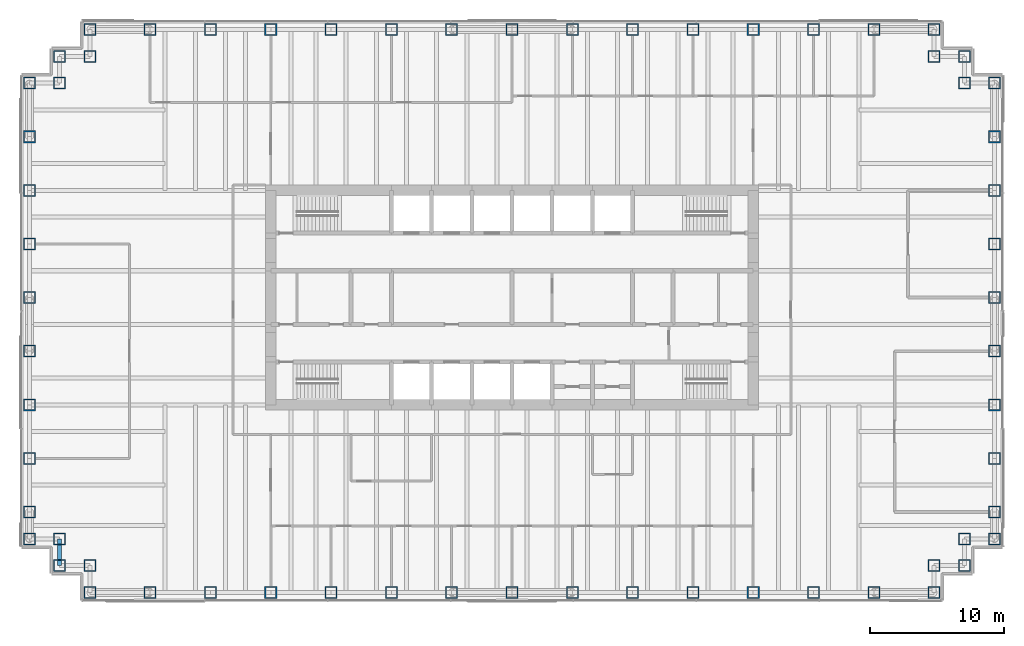
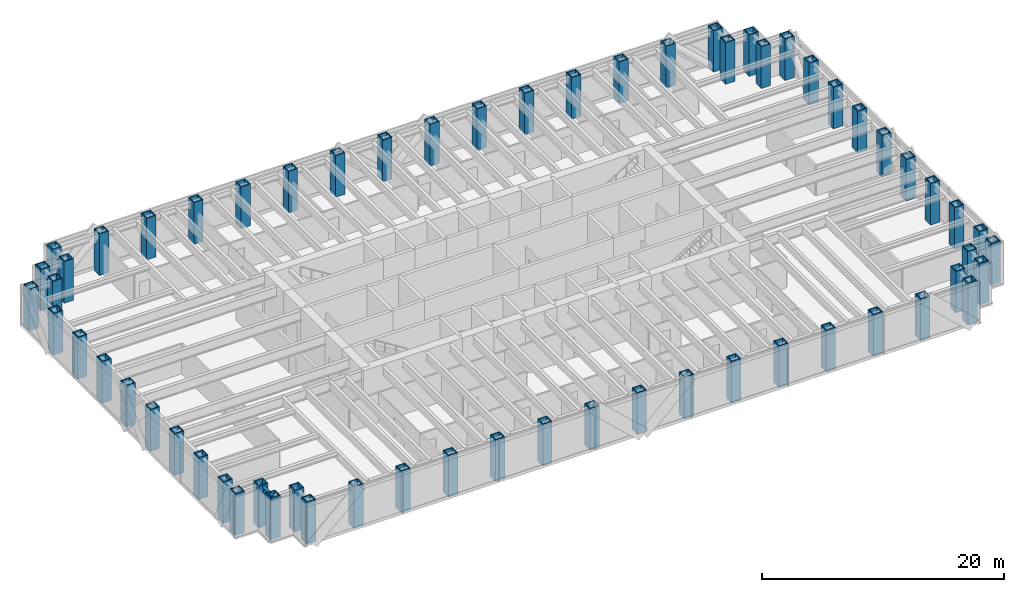
# One storey, part 1 of 15: 62 columns, 1 beam.
"""IFC4 building model written with IfcOpenShell, lengths in metres."""

from ifc_helpers import new_model, si_unit, direction, frame, origin, origin_2d, place, context, subcontext, project, spatial, hollow_rectangle, i_section, extrude, material, material_profile, profile_set, type_object, element, save


model = new_model("IFC4")

# Units and contexts
model_context = context("Model", 3, precision=1e-05, world=origin(), true_north=direction((0.0, 1.0)))
body_context = subcontext(model_context, "Body", "Model", "MODEL_VIEW")
ifc_project = project(units=[si_unit("LENGTHUNIT", "METRE"), si_unit("AREAUNIT", "SQUARE_METRE"), si_unit("VOLUMEUNIT", "CUBIC_METRE"), si_unit("PLANEANGLEUNIT", "RADIAN"), si_unit("MASSUNIT", "GRAM", prefix="KILO")], contexts=[model_context])

# Site, building, storey
site_placement = place(None, origin())
site = spatial("IfcSite", under=ifc_project, at=site_placement, CompositionType="ELEMENT")
building_placement = place(site_placement, origin())
building = spatial("IfcBuilding", under=site, at=building_placement, Name="Rheinbord Bourse Tower", CompositionType="ELEMENT")
storey_placement = place(building_placement, frame((0.0, 0.0, 215.199951171875)))
storey = spatial("IfcBuildingStorey", under=building, at=storey_placement, Name="L48", CompositionType="ELEMENT", Elevation=215.199951171875)

# Columns
ifc_material_1 = material(Name="Steel S460M", Category="steel")
ifc_material_profile_1 = material_profile(ifc_material_1, hollow_rectangle(XDim=0.89990234375, YDim=0.89990234375, WallThickness=0.080078125, at=origin_2d()), Name="BOX 900x900x80")
ifc_profile_set_1 = profile_set([ifc_material_profile_1], Name="Steel S460M")
column_type = type_object("IfcColumnType", Name="TUBE COLUMN BOX 900x900x80", PredefinedType="COLUMN", material=ifc_profile_set_1)
for number, where, z_axis, x_axis, name in (
    (1, (4.5, 2.0, 0.0), (0.0, 0.0, 1.0), (0.0, 1.0, 0.0), "Column SW-E L48"),
    (2, (9.0, 2.0, 0.0), (0.0, 0.0, 1.0), (0.0, 1.0, 0.0), "Column S-9 L48"),
    (3, (13.5, 2.0, 0.0), (0.0, 0.0, 1.0), (0.0, 1.0, 0.0), "Column S-13.5 L48"),
    (4, (18.0, 2.0, 0.0), (0.0, 0.0, 1.0), (0.0, 1.0, 0.0), "Column S-18 L48"),
    (5, (22.5, 2.0, 0.0), (0.0, 0.0, 1.0), (0.0, 1.0, 0.0), "Column S-22.5 L48"),
    (6, (27.0, 2.0, 0.0), (0.0, 0.0, 1.0), (0.0, 1.0, 0.0), "Column S-27 L48"),
    (7, (31.5, 2.0, 0.0), (0.0, 0.0, 1.0), (0.0, 1.0, 0.0), "Column S-31.5 L48"),
    (8, (36.0, 2.0, 0.0), (0.0, 0.0, 1.0), (0.0, 1.0, 0.0), "Column S-36 L48"),
    (9, (40.5, 2.0, 0.0), (0.0, 0.0, 1.0), (0.0, 1.0, 0.0), "Column S-40.5 L48"),
    (10, (45.0, 2.0, 0.0), (0.0, 0.0, 1.0), (0.0, 1.0, 0.0), "Column S-45 L48"),
    (11, (49.5, 2.0, 0.0), (0.0, 0.0, 1.0), (0.0, 1.0, 0.0), "Column S-49.5 L48"),
    (12, (54.0, 2.0, 0.0), (0.0, 0.0, 1.0), (0.0, 1.0, 0.0), "Column S-54 L48"),
    (13, (58.5, 2.0, 0.0), (0.0, 0.0, 1.0), (0.0, 1.0, 0.0), "Column S-58.5 L48"),
    (14, (63.0, 2.0, 0.0), (0.0, 0.0, 1.0), (0.0, 1.0, 0.0), "Column S-63 L48"),
    (15, (67.5, 2.0, 0.0), (0.0, 0.0, 1.0), (0.0, 1.0, 0.0), "Column SE-E L48"),
    (16, (67.5, 4.0, 0.0), (0.0, 0.0, 1.0), (0.0, 1.0, 0.0), "Column SE-D L48"),
    (17, (69.75, 4.0, 0.0), (0.0, 0.0, 1.0), (1.0, 0.0, 0.0), "Column SE-C L48"),
    (18, (69.75, 6.0, 0.0), (0.0, 0.0, 1.0), (1.0, 0.0, 0.0), "Column SE-B L48"),
    (19, (72.0, 6.0, 0.0), (0.0, 0.0, 1.0), (1.0, 0.0, 0.0), "Column SE-A L48"),
    (20, (72.0, 8.0, 0.0), (0.0, 0.0, 1.0), (1.0, 0.0, 0.0), "Column E-8 L48"),
    (21, (72.0, 12.0, 0.0), (0.0, 0.0, 1.0), (1.0, 0.0, 0.0), "Column E-12 L48"),
    (22, (72.0, 16.0, 0.0), (0.0, 0.0, 1.0), (1.0, 0.0, 0.0), "Column E-16 L48"),
    (23, (72.0, 20.0, 0.0), (0.0, 0.0, 1.0), (1.0, 0.0, 0.0), "Column E-20 L48"),
    (24, (72.0, 24.0, 0.0), (0.0, 0.0, 1.0), (1.0, 0.0, 0.0), "Column E-24 L48"),
    (25, (72.0, 28.0, 0.0), (0.0, 0.0, 1.0), (1.0, 0.0, 0.0), "Column E-28 L48"),
    (26, (72.0, 32.0, 0.0), (0.0, 0.0, 1.0), (1.0, 0.0, 0.0), "Column E-32 L48"),
    (27, (72.0, 36.0, 0.0), (0.0, 0.0, 1.0), (1.0, 0.0, 0.0), "Column E-36 L48"),
    (28, (72.0, 40.0, 0.0), (0.0, 0.0, 1.0), (1.0, 0.0, 0.0), "Column NE-A L48"),
    (29, (69.75, 40.0, 0.0), (0.0, 0.0, 1.0), (1.0, 0.0, 0.0), "Column NE-B L48"),
    (30, (69.75, 42.0, 0.0), (0.0, 0.0, 1.0), (1.0, 0.0, 0.0), "Column NE-C L48"),
    (31, (67.5, 42.0, 0.0), (0.0, 0.0, 1.0), (0.0, 1.0, 0.0), "Column NE-D L48"),
    (32, (67.5, 44.0, 0.0), (0.0, 0.0, 1.0), (0.0, 1.0, 0.0), "Column NE-E L48"),
    (33, (63.0, 44.0, 0.0), (0.0, 0.0, 1.0), (0.0, 1.0, 0.0), "Column N-63 L48"),
    (34, (58.5, 44.0, 0.0), (0.0, 0.0, 1.0), (0.0, 1.0, 0.0), "Column N-58.5 L48"),
    (35, (54.0, 44.0, 0.0), (0.0, 0.0, 1.0), (0.0, 1.0, 0.0), "Column N-54 L48"),
    (36, (49.5, 44.0, 0.0), (0.0, 0.0, 1.0), (0.0, 1.0, 0.0), "Column N-49.5 L48"),
    (37, (45.0, 44.0, 0.0), (0.0, 0.0, 1.0), (0.0, 1.0, 0.0), "Column N-45 L48"),
    (38, (40.5, 44.0, 0.0), (0.0, 0.0, 1.0), (0.0, 1.0, 0.0), "Column N-40.5 L48"),
    (39, (36.0, 44.0, 0.0), (0.0, 0.0, 1.0), (0.0, 1.0, 0.0), "Column N-36 L48"),
    (40, (31.5, 44.0, 0.0), (0.0, 0.0, 1.0), (0.0, 1.0, 0.0), "Column N-31.5 L48"),
    (41, (27.0, 44.0, 0.0), (0.0, 0.0, 1.0), (0.0, 1.0, 0.0), "Column N-27 L48"),
    (42, (22.5, 44.0, 0.0), (0.0, 0.0, 1.0), (0.0, 1.0, 0.0), "Column N-22.5 L48"),
    (43, (18.0, 44.0, 0.0), (0.0, 0.0, 1.0), (0.0, 1.0, 0.0), "Column N-18 L48"),
    (44, (13.5, 44.0, 0.0), (0.0, 0.0, 1.0), (0.0, 1.0, 0.0), "Column N-13.5 L48"),
    (45, (9.0, 44.0, 0.0), (0.0, 0.0, 1.0), (0.0, 1.0, 0.0), "Column N-9 L48"),
    (46, (4.5, 44.0, 0.0), (0.0, 0.0, 1.0), (0.0, 1.0, 0.0), "Column NW-E L48"),
    (47, (4.5, 42.0, 0.0), (0.0, 0.0, 1.0), (0.0, 1.0, 0.0), "Column NW-D L48"),
    (48, (2.25, 42.0, 0.0), (0.0, 0.0, 1.0), (1.0, 0.0, 0.0), "Column NW-C L48"),
    (49, (2.25, 40.0, 0.0), (0.0, 0.0, 1.0), (1.0, 0.0, 0.0), "Column NW-B L48"),
    (50, (0.0, 40.0, 0.0), (0.0, 0.0, 1.0), (1.0, 0.0, 0.0), "Column NW-A L48"),
    (51, (0.0, 36.0, 0.0), (0.0, 0.0, 1.0), (1.0, 0.0, 0.0), "Column W-36 L48"),
    (52, (0.0, 32.0, 0.0), (0.0, 0.0, 1.0), (1.0, 0.0, 0.0), "Column W-32 L48"),
    (53, (0.0, 28.0, 0.0), (0.0, 0.0, 1.0), (1.0, 0.0, 0.0), "Column W-28 L48"),
    (54, (0.0, 24.0, 0.0), (0.0, 0.0, 1.0), (1.0, 0.0, 0.0), "Column W-24 L48"),
    (55, (0.0, 20.0, 0.0), (0.0, 0.0, 1.0), (1.0, 0.0, 0.0), "Column W-20 L48"),
    (56, (0.0, 16.0, 0.0), (0.0, 0.0, 1.0), (1.0, 0.0, 0.0), "Column W-16 L48"),
    (57, (0.0, 12.0, 0.0), (0.0, 0.0, 1.0), (1.0, 0.0, 0.0), "Column W-12 L48"),
    (58, (0.0, 8.0, 0.0), (0.0, 0.0, 1.0), (1.0, 0.0, 0.0), "Column W-8 L48"),
    (59, (0.0, 6.0, 0.0), (0.0, 0.0, 1.0), (1.0, 0.0, 0.0), "Column SW-A L48"),
    (60, (2.25, 6.0, 0.0), (0.0, 0.0, 1.0), (1.0, 0.0, 0.0), "Column SW-B L48"),
    (61, (2.25, 4.0, 0.0), (0.0, 0.0, 1.0), (1.0, 0.0, 0.0), "Column SW-C L48"),
    (62, (4.5, 4.0, 0.0), (0.0, 0.0, 1.0), (0.0, 1.0, 0.0), "Column SW-D L48"),
):
    element("IfcColumn", number, at=place(storey_placement, frame(where, z_axis=z_axis, x_axis=x_axis)), inside=storey, type_object=column_type, Name=name, PredefinedType="COLUMN", context=body_context, shape_type="SweptSolid", body=[
        extrude(hollow_rectangle(XDim=0.89990234375, YDim=0.89990234375, WallThickness=0.080078125, at=origin_2d()), origin(), (0.0, 0.0, 1.0), 4.199951171875),
    ])

# Beam
ifc_material_2 = material(Name="Steel S460", Category="steel")
ifc_material_profile_2 = material_profile(ifc_material_2, i_section(OverallWidth=0.300048828125, OverallDepth=0.60009765625, WebThickness=0.015380859375, FlangeThickness=0.030029296875, at=origin_2d()), Name="HEB 600")
ifc_profile_set_2 = profile_set([ifc_material_profile_2], Name="Steel S460")
beam_type = type_object("IfcBeamType", Name="SPANDREL HEB 600", PredefinedType="SPANDREL", material=ifc_profile_set_2)
beam_placement = place(storey_placement, frame((2.25, 6.0, 3.739990234375), z_axis=(0.0, -1.0, 0.0), x_axis=(1.0, 0.0, 0.0)))
element("IfcBeam", 63, at=beam_placement, inside=storey, type_object=beam_type, Name="Spandrel SW-B-SW-C under L49", PredefinedType="SPANDREL", context=body_context, shape_type="SweptSolid", body=[
    extrude(i_section(OverallWidth=0.300048828125, OverallDepth=0.60009765625, WebThickness=0.015380859375, FlangeThickness=0.030029296875, at=origin_2d()), origin(), (0.0, 0.0, 1.0), 2.0),
])

save(model, "model.ifc")
